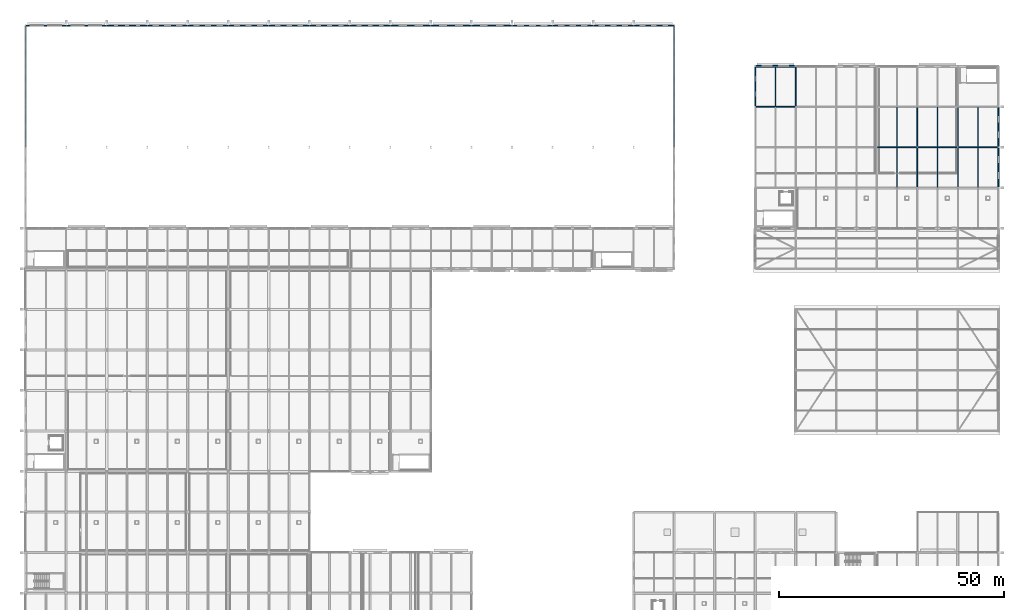
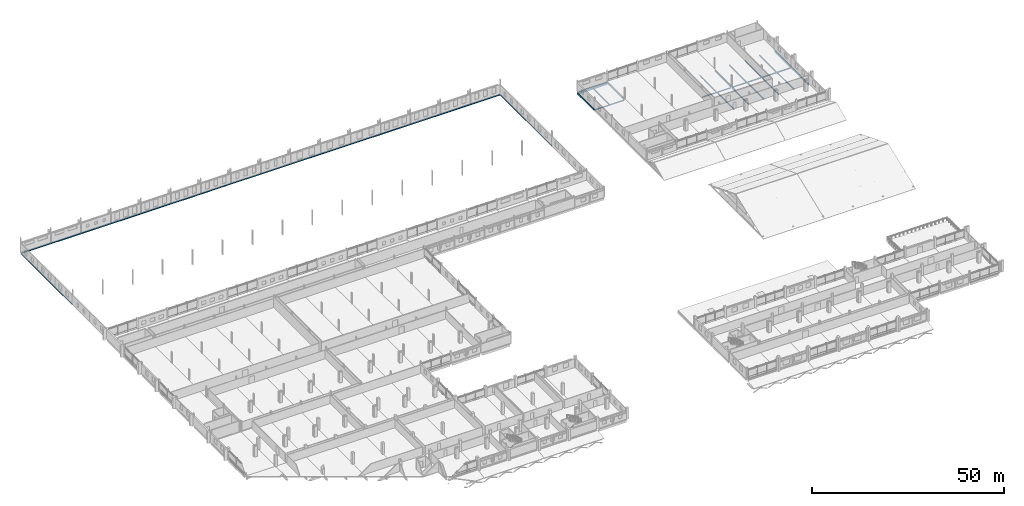
# One storey, part 82 of 132: 38 beams.
"""IFC4 building model written with IfcOpenShell, lengths in metres."""

from ifc_helpers import new_model, si_unit, direction, frame, origin, origin_2d, place, context, subcontext, project, spatial, rectangle, i_section, extrude, material, material_profile, profile_set, type_object, element, save


model = new_model("IFC4")

# Units and contexts
model_context = context("Model", 3, precision=1e-05, world=origin(), true_north=direction((0.0, 1.0)))
body_context = subcontext(model_context, "Body", "Model", "MODEL_VIEW")
ifc_project = project(units=[si_unit("LENGTHUNIT", "METRE"), si_unit("AREAUNIT", "SQUARE_METRE"), si_unit("VOLUMEUNIT", "CUBIC_METRE"), si_unit("PLANEANGLEUNIT", "RADIAN"), si_unit("MASSUNIT", "GRAM", prefix="KILO")], contexts=[model_context])

# Site, building, storey
site_placement = place(None, origin())
site = spatial("IfcSite", under=ifc_project, at=site_placement, CompositionType="ELEMENT")
building_placement = place(site_placement, origin())
building = spatial("IfcBuilding", under=site, at=building_placement, Name="Tharagai Park Tramway Depot", CompositionType="ELEMENT")
storey_placement = place(building_placement, frame((0.0, 0.0, 4.800048828125)))
storey = spatial("IfcBuildingStorey", under=building, at=storey_placement, Name="L01", CompositionType="ELEMENT", Elevation=4.800048828125)

# Beams
ifc_material_1 = material(Name="Steel E350", Category="steel")
ifc_material_profile_1 = material_profile(ifc_material_1, i_section(OverallWidth=0.139892578125, OverallDepth=0.39990234375, WebThickness=0.0087890625, FlangeThickness=0.01611328125, FilletRadius=0.013916015625, at=origin_2d()), Name="ISMB 400")
ifc_profile_set_1 = profile_set([ifc_material_profile_1], Name="Steel E350")
beam_type_1 = type_object("IfcBeamType", Name="BM-06", PredefinedType="BEAM", material=ifc_profile_set_1)
for number, where, z_axis, x_axis, name in (
    (1, (171.0, 126.175048828125, -0.47998046875), (0.0, 1.0, 0.0), (-1.0, 0.0, 0.0), "L01 Grid Beam BM-06"),
    (2, (198.0, 108.175048828125, -0.47998046875), (0.0, 1.0, 0.0), (-1.0, 0.0, 0.0), "L01 Grid Beam BM-06"),
    (3, (198.0, 117.175048828125, -0.47998046875), (0.0, 1.0, 0.0), (-1.0, 0.0, 0.0), "L01 Grid Beam BM-06"),
    (4, (207.0, 108.175048828125, -0.47998046875), (0.0, 1.0, 0.0), (-1.0, 0.0, 0.0), "L01 Grid Beam BM-06"),
    (5, (207.0, 117.175048828125, -0.47998046875), (0.0, 1.0, 0.0), (-1.0, 0.0, 0.0), "L01 Grid Beam BM-06"),
):
    element("IfcBeam", number, at=place(storey_placement, frame(where, z_axis=z_axis, x_axis=x_axis)), inside=storey, type_object=beam_type_1, Name=name, PredefinedType="BEAM", context=body_context, shape_type="SweptSolid", body=[
        extrude(i_section(OverallWidth=0.139892578125, OverallDepth=0.39990234375, WebThickness=0.0087890625, FlangeThickness=0.01611328125, FilletRadius=0.013916015625, at=origin_2d()), origin(), (0.0, 0.0, 1.0), 8.64990234375),
    ])
ifc_material_profile_2 = material_profile(ifc_material_1, i_section(OverallWidth=0.199951171875, OverallDepth=0.35009765625, WebThickness=0.008056640625, FlangeThickness=0.011474609375, FilletRadius=0.011962890625, at=origin_2d()), Name="ISWB 350")
ifc_profile_set_2 = profile_set([ifc_material_profile_2], Name="Steel E350")
beam_type_2 = type_object("IfcBeamType", Name="BM-15", PredefinedType="BEAM", material=ifc_profile_set_2)
for number, where, z_axis, x_axis, name in (
    (6, (189.10009765625, 117.0, -0.455078125), (1.0, 0.0, 0.0), (0.0, 1.0, 0.0), "L01 Grid Beam BM-15"),
    (7, (198.10009765625, 117.0, -0.455078125), (1.0, 0.0, 0.0), (0.0, 1.0, 0.0), "L01 Grid Beam BM-15"),
    (8, (207.10009765625, 117.0, -0.455078125), (1.0, 0.0, 0.0), (0.0, 1.0, 0.0), "L01 Grid Beam BM-15"),
    (9, (162.10009765625, 126.0, -0.455078125), (1.0, 0.0, 0.0), (0.0, 1.0, 0.0), "L01 Grid Beam BM-15"),
):
    element("IfcBeam", number, at=place(storey_placement, frame(where, z_axis=z_axis, x_axis=x_axis)), inside=storey, type_object=beam_type_2, Name=name, PredefinedType="BEAM", context=body_context, shape_type="SweptSolid", body=[
        extrude(i_section(OverallWidth=0.199951171875, OverallDepth=0.35009765625, WebThickness=0.008056640625, FlangeThickness=0.011474609375, FilletRadius=0.011962890625, at=origin_2d()), origin(), (0.0, 0.0, 1.0), 8.7998046875),
    ])
ifc_material_2 = material(Name="Steel E250", Category="steel")
ifc_material_profile_3 = material_profile(ifc_material_2, i_section(OverallWidth=0.125, OverallDepth=0.25, WebThickness=0.0068359375, FlangeThickness=0.012451171875, FilletRadius=0.012939453125, at=origin_2d()), Name="ISMB 250")
ifc_profile_set_3 = profile_set([ifc_material_profile_3], Name="Steel E250")
beam_type_3 = type_object("IfcBeamType", Name="JT-02", PredefinedType="JOIST", material=ifc_profile_set_3)
beam_1_placement = place(storey_placement, frame((166.5, 126.10009765625, -0.405029296875), z_axis=(0.0, 1.0, 0.0), x_axis=(-1.0, 0.0, 0.0)))
element("IfcBeam", 10, at=beam_1_placement, inside=storey, type_object=beam_type_3, Name="L01 Secondary Joist JT-02", PredefinedType="JOIST", context=body_context, shape_type="SweptSolid", body=[
    extrude(i_section(OverallWidth=0.125, OverallDepth=0.25, WebThickness=0.0068359375, FlangeThickness=0.012451171875, FilletRadius=0.012939453125, at=origin_2d()), origin(), (0.0, 0.0, 1.0), 8.699951171875),
])
for number, where, z_axis, x_axis, name in (
    (11, (193.5, 108.10009765625, -0.405029296875), (0.0, 1.0, 0.0), (-1.0, 0.0, 0.0), "L01 Secondary Joist JT-02"),
    (12, (193.5, 117.10009765625, -0.405029296875), (0.0, 1.0, 0.0), (-1.0, 0.0, 0.0), "L01 Secondary Joist JT-02"),
    (13, (202.5, 108.10009765625, -0.405029296875), (0.0, 1.0, 0.0), (-1.0, 0.0, 0.0), "L01 Secondary Joist JT-02"),
    (14, (202.5, 117.10009765625, -0.405029296875), (0.0, 1.0, 0.0), (-1.0, 0.0, 0.0), "L01 Secondary Joist JT-02"),
    (15, (211.5, 108.10009765625, -0.405029296875), (0.0, 1.0, 0.0), (-1.0, 0.0, 0.0), "L01 Secondary Joist JT-02"),
    (16, (211.5, 117.10009765625, -0.405029296875), (0.0, 1.0, 0.0), (-1.0, 0.0, 0.0), "L01 Secondary Joist JT-02"),
):
    element("IfcBeam", number, at=place(storey_placement, frame(where, z_axis=z_axis, x_axis=x_axis)), inside=storey, type_object=beam_type_3, Name=name, PredefinedType="JOIST", context=body_context, shape_type="SweptSolid", body=[
        extrude(i_section(OverallWidth=0.125, OverallDepth=0.25, WebThickness=0.0068359375, FlangeThickness=0.012451171875, FilletRadius=0.012939453125, at=origin_2d()), origin(), (0.0, 0.0, 1.0), 8.7998046875),
    ])
ifc_material_3 = material(Name="Concrete M35", Category="concrete")
ifc_material_profile_4 = material_profile(ifc_material_3, rectangle(XDim=0.39990234375, YDim=0.60009765625, at=origin_2d()), Name="RC 400x600")
ifc_profile_set_4 = profile_set([ifc_material_profile_4], Name="Concrete M35")
beam_type_4 = type_object("IfcBeamType", Name="SP-02", PredefinedType="SPANDREL", material=ifc_profile_set_4)
beam_2_placement = place(storey_placement, frame((162.10009765625, 135.0, -0.580078125), z_axis=(1.0, 0.0, 0.0), x_axis=(0.0, 1.0, 0.0)))
element("IfcBeam", 17, at=beam_2_placement, inside=storey, type_object=beam_type_4, Name="L01 Grid Beam SP-02", PredefinedType="SPANDREL", context=body_context, shape_type="SweptSolid", body=[
    extrude(rectangle(XDim=0.39990234375, YDim=0.60009765625, at=origin_2d()), origin(), (0.0, 0.0, 1.0), 8.7998046875),
])
ifc_material_profile_5 = material_profile(ifc_material_3, rectangle(XDim=0.300048828125, YDim=0.5, at=origin_2d()), Name="RC 300x500")
ifc_profile_set_5 = profile_set([ifc_material_profile_5], Name="Concrete M35")
beam_type_5 = type_object("IfcBeamType", Name="SP-03", PredefinedType="SPANDREL", material=ifc_profile_set_5)
for number, where, z_axis, x_axis, name in (
    (18, (162.0, 126.175048828125, -0.530029296875), (0.0, 1.0, 0.0), (-1.0, 0.0, 0.0), "L01 Grid Beam SP-03"),
    (19, (216.0, 108.175048828125, -0.530029296875), (0.0, 1.0, 0.0), (-1.0, 0.0, 0.0), "L01 Grid Beam SP-03"),
    (20, (216.0, 117.175048828125, -0.530029296875), (0.0, 1.0, 0.0), (-1.0, 0.0, 0.0), "L01 Grid Beam SP-03"),
):
    element("IfcBeam", number, at=place(storey_placement, frame(where, z_axis=z_axis, x_axis=x_axis)), inside=storey, type_object=beam_type_5, Name=name, PredefinedType="SPANDREL", context=body_context, shape_type="SweptSolid", body=[
        extrude(rectangle(XDim=0.300048828125, YDim=0.5, at=origin_2d()), origin(), (0.0, 0.0, 1.0), 8.64990234375),
    ])
ifc_material_profile_6 = material_profile(ifc_material_1, i_section(OverallWidth=0.199951171875, OverallDepth=0.300048828125, WebThickness=0.00732421875, FlangeThickness=0.010009765625, FilletRadius=0.010986328125, at=origin_2d()), Name="ISWB 300")
ifc_profile_set_6 = profile_set([ifc_material_profile_6], Name="Steel E350")
beam_type_6 = type_object("IfcBeamType", Name="SP-04", PredefinedType="SPANDREL", material=ifc_profile_set_6)
for number, where, z_axis, x_axis, name in (
    (21, (0.080078125, 144.0, -0.150146484375), (1.0, 0.0, 0.0), (0.0, 1.0, 0.0), "V1 Shed Perimeter Girt Beam SP-04"),
    (22, (9.080078125, 144.0, -0.150146484375), (1.0, 0.0, 0.0), (0.0, 1.0, 0.0), "V1 Shed Perimeter Girt Beam SP-04"),
    (23, (18.080078125, 144.0, -0.150146484375), (1.0, 0.0, 0.0), (0.0, 1.0, 0.0), "V1 Shed Perimeter Girt Beam SP-04"),
    (24, (27.080078125, 144.0, -0.150146484375), (1.0, 0.0, 0.0), (0.0, 1.0, 0.0), "V1 Shed Perimeter Girt Beam SP-04"),
    (25, (36.080078125, 144.0, -0.150146484375), (1.0, 0.0, 0.0), (0.0, 1.0, 0.0), "V1 Shed Perimeter Girt Beam SP-04"),
    (26, (45.080078125, 144.0, -0.150146484375), (1.0, 0.0, 0.0), (0.0, 1.0, 0.0), "V1 Shed Perimeter Girt Beam SP-04"),
    (27, (54.080078125, 144.0, -0.150146484375), (1.0, 0.0, 0.0), (0.0, 1.0, 0.0), "V1 Shed Perimeter Girt Beam SP-04"),
    (28, (63.080078125, 144.0, -0.150146484375), (1.0, 0.0, 0.0), (0.0, 1.0, 0.0), "V1 Shed Perimeter Girt Beam SP-04"),
    (29, (72.080078125, 144.0, -0.150146484375), (1.0, 0.0, 0.0), (0.0, 1.0, 0.0), "V1 Shed Perimeter Girt Beam SP-04"),
    (30, (81.080078125, 144.0, -0.150146484375), (1.0, 0.0, 0.0), (0.0, 1.0, 0.0), "V1 Shed Perimeter Girt Beam SP-04"),
    (31, (90.080078125, 144.0, -0.150146484375), (1.0, 0.0, 0.0), (0.0, 1.0, 0.0), "V1 Shed Perimeter Girt Beam SP-04"),
    (32, (99.080078125, 144.0, -0.150146484375), (1.0, 0.0, 0.0), (0.0, 1.0, 0.0), "V1 Shed Perimeter Girt Beam SP-04"),
    (33, (108.080078125, 144.0, -0.150146484375), (1.0, 0.0, 0.0), (0.0, 1.0, 0.0), "V1 Shed Perimeter Girt Beam SP-04"),
    (34, (117.080078125, 144.0, -0.150146484375), (1.0, 0.0, 0.0), (0.0, 1.0, 0.0), "V1 Shed Perimeter Girt Beam SP-04"),
    (35, (126.080078125, 144.0, -0.150146484375), (1.0, 0.0, 0.0), (0.0, 1.0, 0.0), "V1 Shed Perimeter Girt Beam SP-04"),
    (36, (135.080078125, 144.0, -0.150146484375), (1.0, 0.0, 0.0), (0.0, 1.0, 0.0), "V1 Shed Perimeter Girt Beam SP-04"),
):
    element("IfcBeam", number, at=place(storey_placement, frame(where, z_axis=z_axis, x_axis=x_axis)), inside=storey, type_object=beam_type_6, Name=name, PredefinedType="SPANDREL", context=body_context, shape_type="SweptSolid", body=[
        extrude(i_section(OverallWidth=0.199951171875, OverallDepth=0.300048828125, WebThickness=0.00732421875, FlangeThickness=0.010009765625, FilletRadius=0.010986328125, at=origin_2d()), origin(), (0.0, 0.0, 1.0), 8.83984375),
    ])
for number, where, z_axis, x_axis, name in (
    (37, (0.0, 117.080078125, -0.150146484375), (0.0, 1.0, 0.0), (-1.0, 0.0, 0.0), "V1 Shed Gable Girt Beam SP-04"),
    (38, (144.0, 117.080078125, -0.150146484375), (0.0, 1.0, 0.0), (-1.0, 0.0, 0.0), "V1 Shed Gable Girt Beam SP-04"),
):
    element("IfcBeam", number, at=place(storey_placement, frame(where, z_axis=z_axis, x_axis=x_axis)), inside=storey, type_object=beam_type_6, Name=name, PredefinedType="SPANDREL", context=body_context, shape_type="SweptSolid", body=[
        extrude(i_section(OverallWidth=0.199951171875, OverallDepth=0.300048828125, WebThickness=0.00732421875, FlangeThickness=0.010009765625, FilletRadius=0.010986328125, at=origin_2d()), origin(), (0.0, 0.0, 1.0), 26.83984375),
    ])

save(model, "model.ifc")
